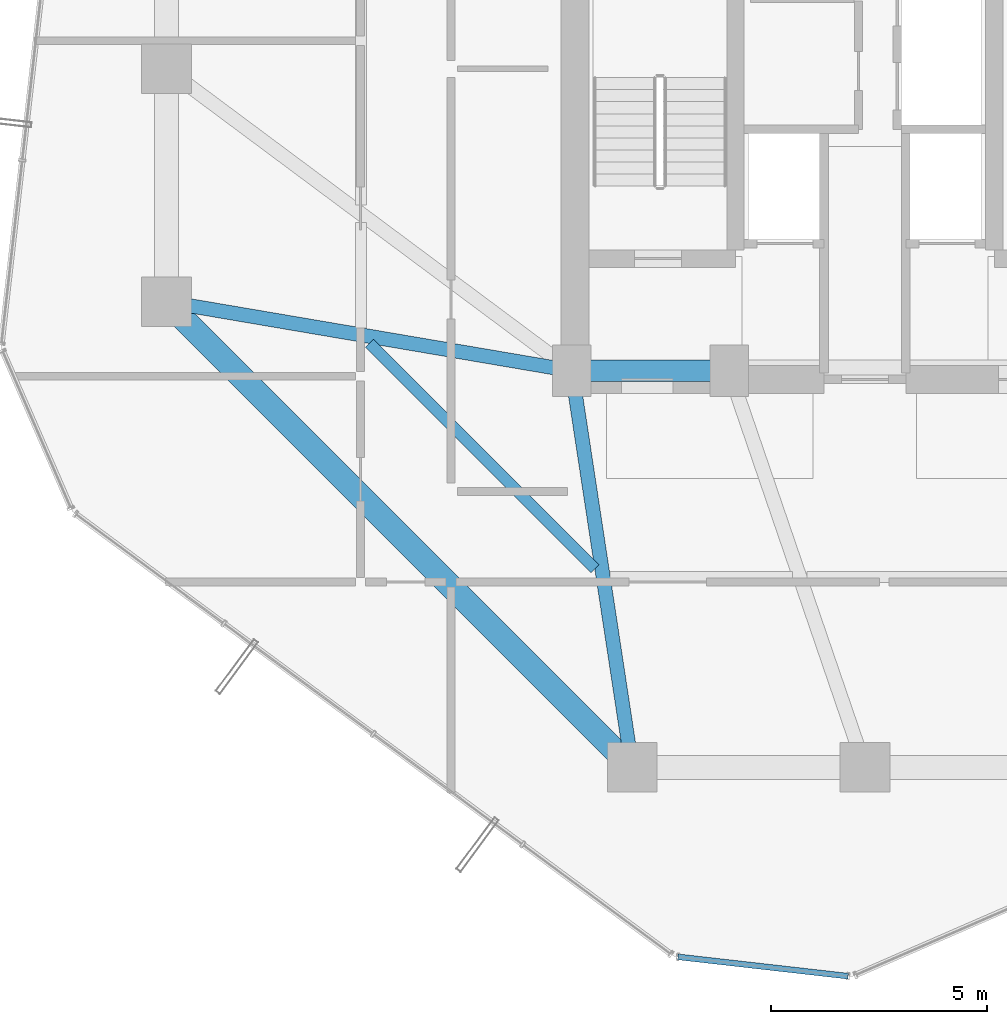
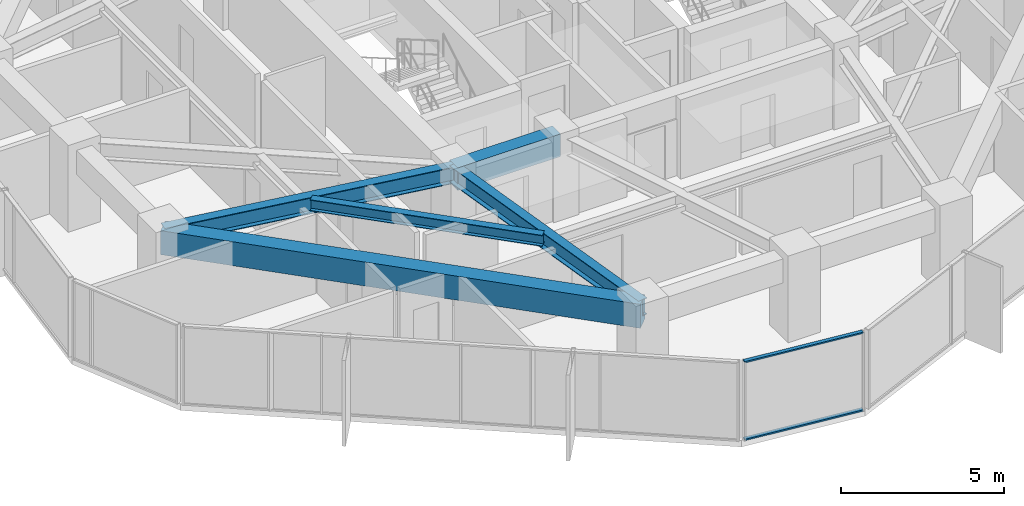
# One storey, part 5 of 29: 5 beams, 2 members, 1 element without a shape of its own.
"""IFC4 building model written with IfcOpenShell, lengths in metres."""

from ifc_helpers import new_model, si_unit, direction, frame, origin, origin_2d, place, context, subcontext, project, spatial, rectangle, hollow_rectangle, i_section, extrude, source, transform, mapped, material, layer, layer_set, material_profile, profile_set, type_object, element, aggregate, save


model = new_model("IFC4")

# Units and contexts
model_context = context("Model", 3, precision=1e-05, world=origin(), true_north=direction((0.0, 1.0)))
body_context = subcontext(model_context, "Body", "Model", "MODEL_VIEW")
ifc_project = project(units=[si_unit("LENGTHUNIT", "METRE"), si_unit("AREAUNIT", "SQUARE_METRE"), si_unit("VOLUMEUNIT", "CUBIC_METRE"), si_unit("PLANEANGLEUNIT", "RADIAN"), si_unit("MASSUNIT", "GRAM", prefix="KILO")], contexts=[model_context])

# Site, building, storey
site_placement = place(None, origin())
site = spatial("IfcSite", under=ifc_project, at=site_placement, CompositionType="ELEMENT")
building_placement = place(site_placement, origin())
building = spatial("IfcBuilding", under=site, at=building_placement, Name="Veraguas Prism Commons", CompositionType="ELEMENT")
storey_placement = place(building_placement, frame((0.0, 0.0, 105.699951171875)))
storey = spatial("IfcBuildingStorey", under=building, at=storey_placement, Name="L29", CompositionType="ELEMENT", Elevation=105.699951171875)

# Beams
ifc_material_1 = material(Name="Concrete C50/60", Category="concrete")
ifc_material_profile_1 = material_profile(ifc_material_1, rectangle(XDim=0.5, YDim=0.85009765625, at=origin_2d()), Name="RC500X850")
ifc_profile_set_1 = profile_set([ifc_material_profile_1], Name="Concrete C50/60")
beam_type_1 = type_object("IfcBeamType", Name="Core Coupling Beam RC 500x850", PredefinedType="BEAM", material=ifc_profile_set_1)
beam_1_placement = place(storey_placement, frame((17.199951171875, 17.0, 2.545166015625), z_axis=(1.0, 0.0, 0.0), x_axis=(0.0, 1.0, 0.0)))
element("IfcBeam", 1, at=beam_1_placement, inside=storey, type_object=beam_type_1, Name="Core Coupling Beam L29-CRS1", PredefinedType="BEAM", context=body_context, shape_type="SweptSolid", body=[
    extrude(rectangle(XDim=0.5, YDim=0.85009765625, at=origin_2d()), origin(), (0.0, 0.0, 1.0), 3.650146484375),
])
ifc_material_2 = material(Name="Steel ASTM A992 Grade 50", Category="steel")
ifc_material_profile_2 = material_profile(ifc_material_2, i_section(OverallWidth=0.260986328125, OverallDepth=0.419921875, WebThickness=0.01171875, FlangeThickness=0.019287109375, at=origin_2d()), Name="W410X114")
ifc_profile_set_2 = profile_set([ifc_material_profile_2], Name="Steel ASTM A992 Grade 50")
beam_type_2 = type_object("IfcBeamType", Name="Lower Floor Joist W410x114", PredefinedType="JOIST", material=ifc_profile_set_2)
beam_2_placement = place(storey_placement, frame((12.510009765625, 17.634033203125, 2.760009765625), z_axis=(0.707090260193, -0.707123301794, 0.0), x_axis=(0.707123301794, 0.707090260193, 0.0)))
element("IfcBeam", 2, at=beam_2_placement, inside=storey, type_object=beam_type_2, Name="Composite Floor Joist L29-JS09", PredefinedType="JOIST", context=body_context, shape_type="SweptSolid", body=[
    extrude(i_section(OverallWidth=0.260986328125, OverallDepth=0.419921875, WebThickness=0.01171875, FlangeThickness=0.019287109375, at=origin_2d()), origin(), (0.0, 0.0, 1.0), 7.388916015625),
])
ifc_material_profile_3 = material_profile(ifc_material_1, rectangle(XDim=0.550048828125, YDim=0.89990234375, at=origin_2d()), Name="RC550X900")
ifc_profile_set_3 = profile_set([ifc_material_profile_3], Name="Concrete C50/60")
beam_type_3 = type_object("IfcBeamType", Name="Perimeter Spandrel Lower RC 550x900", PredefinedType="SPANDREL", material=ifc_profile_set_3)
beam_3_placement = place(storey_placement, frame((7.800048828125, 18.60009765625, 2.52001953125), z_axis=(0.707106781187, -0.707106781187, 0.0), x_axis=(0.707106781187, 0.707106781187, 0.0)))
element("IfcBeam", 3, at=beam_3_placement, inside=storey, type_object=beam_type_3, Name="Perimeter Spandrel Beam L29-SP09", PredefinedType="SPANDREL", context=body_context, shape_type="SweptSolid", body=[
    extrude(rectangle(XDim=0.550048828125, YDim=0.89990234375, at=origin_2d()), origin(), (0.0, 0.0, 1.0), 15.273681640625),
])
ifc_material_profile_4 = material_profile(ifc_material_2, i_section(OverallWidth=0.327880859375, OverallDepth=0.6220703125, WebThickness=0.015380859375, FlangeThickness=0.0244140625, at=origin_2d()), Name="W610X195")
ifc_profile_set_4 = profile_set([ifc_material_profile_4], Name="Steel ASTM A992 Grade 50")
beam_type_4 = type_object("IfcBeamType", Name="Zone 2 Radial Girder W610x195", PredefinedType="BEAM", material=ifc_profile_set_4)
beam_4_placement = place(storey_placement, frame((7.800048828125, 18.60009765625, 2.658935546875), z_axis=(0.985819187151, -0.1678109956, 0.0), x_axis=(0.1678109956, 0.985819187151, 0.0)))
element("IfcBeam", 4, at=beam_4_placement, inside=storey, type_object=beam_type_4, Name="Radial Floor Girder L29-RD09", PredefinedType="BEAM", context=body_context, shape_type="SweptSolid", body=[
    extrude(i_section(OverallWidth=0.327880859375, OverallDepth=0.6220703125, WebThickness=0.015380859375, FlangeThickness=0.0244140625, at=origin_2d()), origin(), (0.0, 0.0, 1.0), 9.53515625),
])
beam_5_placement = place(storey_placement, frame((18.60009765625, 7.800048828125, 2.658935546875), z_axis=(-0.150458162136, 0.98861637729, 0.0), x_axis=(-0.98861637729, -0.150458162136, 0.0)))
element("IfcBeam", 5, at=beam_5_placement, inside=storey, type_object=beam_type_4, Name="Radial Floor Girder L29-RD10", PredefinedType="BEAM", context=body_context, shape_type="SweptSolid", body=[
    extrude(i_section(OverallWidth=0.327880859375, OverallDepth=0.6220703125, WebThickness=0.015380859375, FlangeThickness=0.0244140625, at=origin_2d()), origin(), (0.0, 0.0, 1.0), 9.305908203125),
])

# Curtain wall, members
ifc_material_3 = material(Name="Anodised aluminium EN AW-6063 T6", Category="aluminium")
ifc_layer = layer(ifc_material_3, 0.169921875, Name="Unitised Flush Curtain Wall Zone 2", Category="aluminium")
ifc_layer_set = layer_set([ifc_layer], Name="Anodised aluminium EN AW-6063 T6")
curtain_wall_type = type_object("IfcCurtainWallType", Name="Unitised Flush Curtain Wall Zone 2", PredefinedType="NOTDEFINED", material=ifc_layer_set)
curtain_wall_placement = place(storey_placement, origin())
curtain_wall = element("IfcCurtainWall", 6, at=curtain_wall_placement, inside=storey, type_object=curtain_wall_type, Name="Chamfer Curtain Wall L29-C5", PredefinedType="NOTDEFINED")
ifc_material_profile_5 = material_profile(ifc_material_3, hollow_rectangle(XDim=0.054931640625, YDim=0.135009765625, WallThickness=0.0029296875, at=origin_2d()), Name="AL55X135X3")
ifc_profile_set_5 = profile_set([ifc_material_profile_5], Name="Anodised aluminium EN AW-6063 T6")
member_type = type_object("IfcMemberType", Name="Curtain Wall Transom Standard AL 55x135x3", PredefinedType="USERDEFINED", material=ifc_profile_set_5)
shared_shape = source(origin(), body_context, "Body", "SweptSolid", [
    extrude(hollow_rectangle(XDim=0.054931640625, YDim=0.135009765625, WallThickness=0.0029296875, at=origin_2d()), origin(), (0.0, 0.0, 1.0), 3.97314453125),
])
member_1_placement = place(storey_placement, frame((19.66162109375, 3.406982421875, 0.027587890625), z_axis=(0.993608701161, -0.112879355846, 0.0), x_axis=(0.0, 0.0, 1.0)))
member_1 = element("IfcMember", 7, at=member_1_placement, type_object=member_type, Name="CW-Z2 Transom 1", ObjectType="TRANSOM", PredefinedType="USERDEFINED", context=body_context, shape_type="MappedRepresentation", body=[
    mapped(shared_shape, transform((0.0, 0.0, 0.0), scale=1.0)),
])
member_2_placement = place(storey_placement, frame((19.66162109375, 3.406982421875, 2.942626953125), z_axis=(0.993608701161, -0.112879355846, 0.0), x_axis=(0.0, 0.0, 1.0)))
member_2 = element("IfcMember", 8, at=member_2_placement, type_object=member_type, Name="CW-Z2 Transom 2", ObjectType="TRANSOM", PredefinedType="USERDEFINED", context=body_context, shape_type="MappedRepresentation", body=[
    mapped(shared_shape, transform((0.0, 0.0, 0.0), scale=1.0)),
])
aggregate(curtain_wall, [member_1, member_2])

save(model, "model.ifc")
